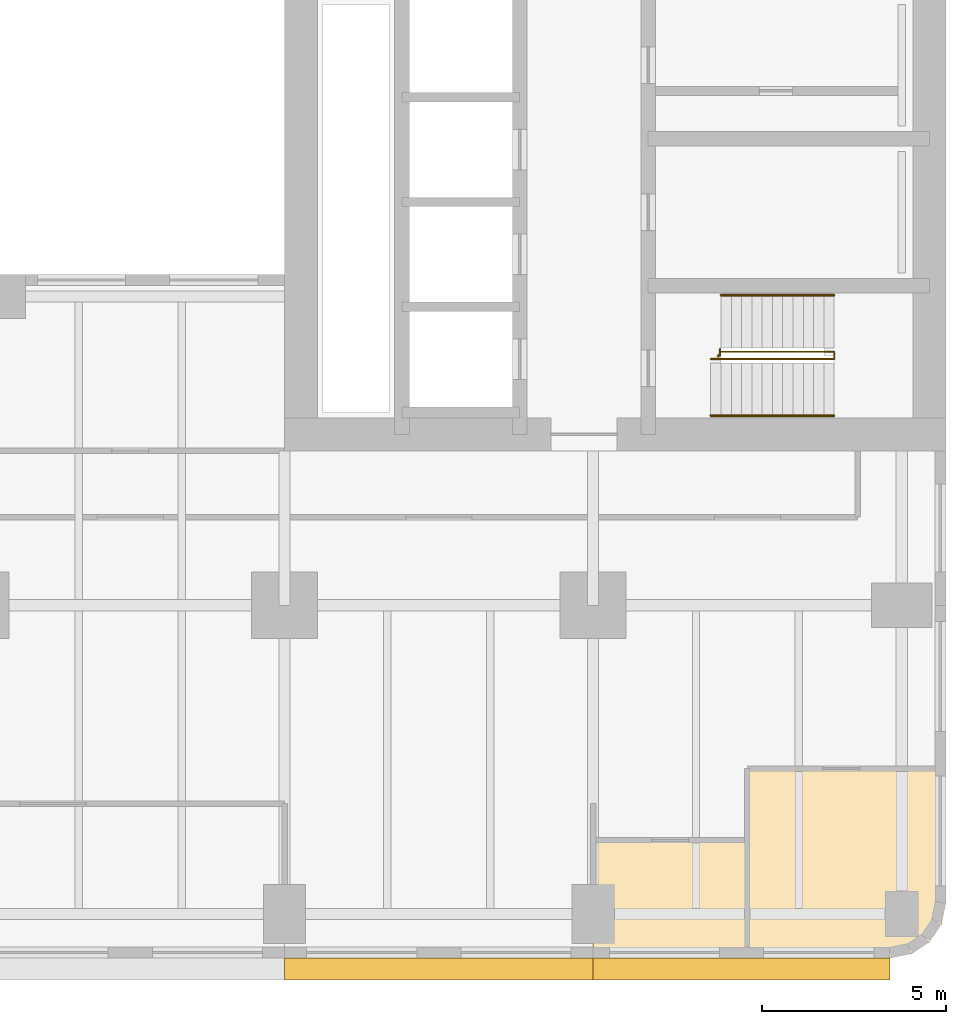
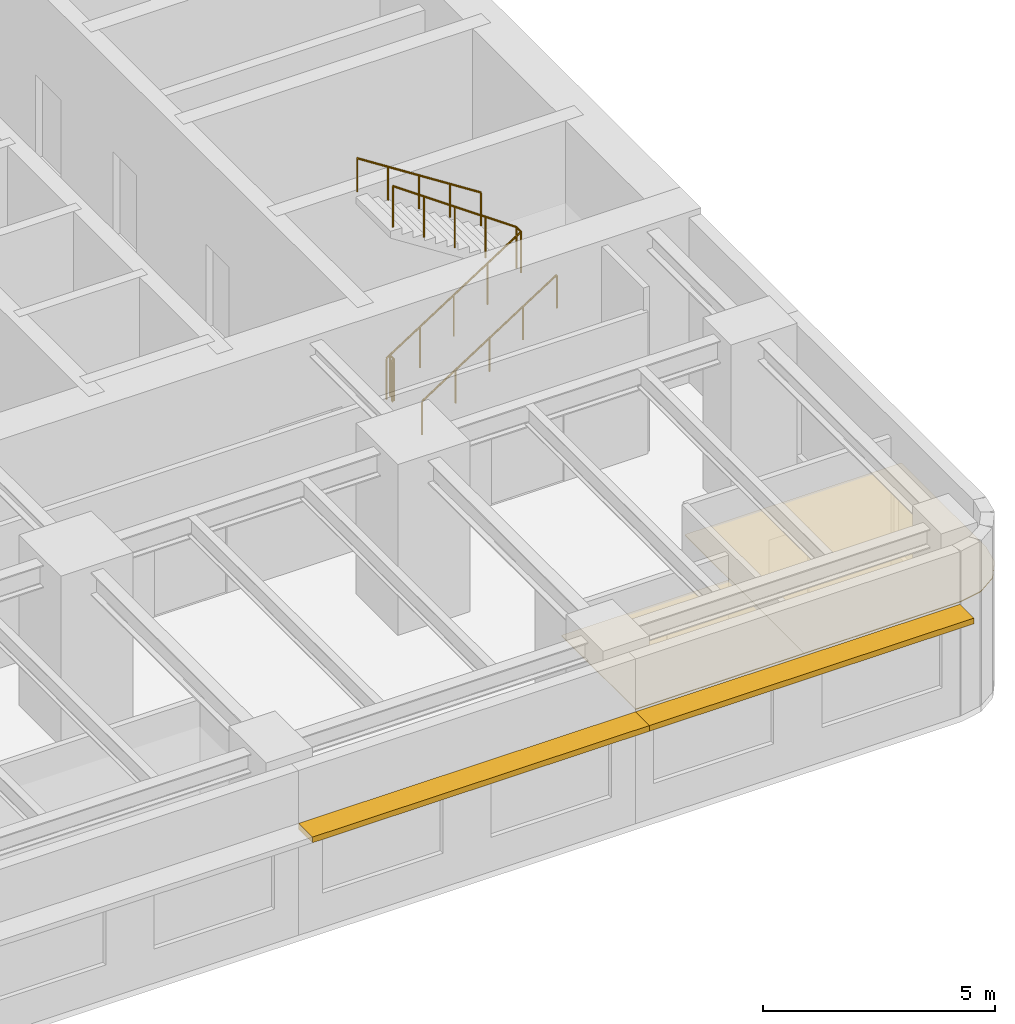
# One storey, part 10 of 12: 4 railings, 2 coverings, 2 shading devices.
"""IFC4 building model written with IfcOpenShell, lengths in metres."""

from ifc_helpers import new_model, si_unit, direction, frame, origin, origin_2d, place, context, subcontext, project, spatial, polyline, rectangle, circle, outline, extrude, material, layer, layer_set, type_object, element, save


model = new_model("IFC4")

# Units and contexts
model_context = context("Model", 3, precision=1e-05, world=origin(), true_north=direction((0.0, 1.0)))
body_context = subcontext(model_context, "Body", "Model", "MODEL_VIEW")
ifc_project = project(units=[si_unit("LENGTHUNIT", "METRE"), si_unit("AREAUNIT", "SQUARE_METRE"), si_unit("VOLUMEUNIT", "CUBIC_METRE"), si_unit("PLANEANGLEUNIT", "RADIAN"), si_unit("MASSUNIT", "GRAM", prefix="KILO")], contexts=[model_context])

# Site, building, storey
site_placement = place(None, origin())
site = spatial("IfcSite", under=ifc_project, at=site_placement, CompositionType="ELEMENT")
building_placement = place(site_placement, origin())
building = spatial("IfcBuilding", under=site, at=building_placement, Name="Claustro Exchange Tower", CompositionType="ELEMENT")
storey_placement = place(building_placement, frame((0.0, 0.0, 45.89990234375)))
storey = spatial("IfcBuildingStorey", under=building, at=storey_placement, Name="L10", CompositionType="ELEMENT", Elevation=45.89990234375)

# Coverings
ifc_material_1 = material(Name="Gypsum board ceiling", Category="gypsum board")
ifc_layer_1 = layer(ifc_material_1, 0.02490234375)
ifc_layer_set_1 = layer_set([ifc_layer_1], Name="Gypsum board ceiling")
covering_type = type_object("IfcCoveringType", Name="CL2 plasterboard ceiling", PredefinedType="CEILING", material=ifc_layer_set_1)
covering_1_placement = place(storey_placement, frame((0.0, 0.0, 3.0)))
element("IfcCovering", 1, at=covering_1_placement, inside=storey, type_object=covering_type, Name="Ceiling CL2 L10-01", PredefinedType="CEILING", context=body_context, shape_type="SweptSolid", body=[
    extrude(outline(polyline([(42.0, -1.199951171875), (46.199951171875, -1.199951171875), (46.199951171875, 2.0), (42.0, 2.0), (42.0, -1.199951171875)])), origin(), (0.0, 0.0, 1.0), 0.025146484375),
])
covering_2_placement = place(storey_placement, frame((0.0, 0.0, 3.0)))
element("IfcCovering", 2, at=covering_2_placement, inside=storey, type_object=covering_type, Name="Ceiling CL2 L10-06", PredefinedType="CEILING", context=body_context, shape_type="SweptSolid", body=[
    extrude(outline(polyline([(51.60009765625, 0.300048828125), (51.60009765625, 3.949951171875), (46.199951171875, 3.949951171875), (46.199951171875, -1.199951171875), (50.10009765625, -1.199951171875), (50.674072265625, -1.085693359375), (51.16064453125, -0.7607421875), (51.48583984375, -0.27392578125), (51.60009765625, 0.300048828125)])), origin(), (0.0, 0.0, 1.0), 0.025146484375),
])

# Railings
ifc_material_2 = material(Name="Steel balustrade, painted", Category="steel")
railing_type_1 = type_object("IfcRailingType", Name="GR2 1100 steel stair guard", PredefinedType="GUARDRAIL", material=ifc_material_2)
railing_1_placement = place(storey_placement, frame((45.199951171875, 15.10009765625, 0.18017578125)))
element("IfcRailing", 3, at=railing_1_placement, inside=storey, type_object=railing_type_1, Name="Stair well guard GR2 stair STEA L10", PredefinedType="GUARDRAIL", context=body_context, shape_type="SweptSolid", body=[
    extrude(circle(Radius=0.02392578125, at=origin_2d()), frame((0.0, 0.0, 1.076171875), z_axis=(0.84119634759, 0.0, 0.540729789082), x_axis=(0.0, 1.0, 0.0)), (0.0, 0.0, 1.0), 3.994384765625),
    extrude(circle(Radius=0.02392578125, at=origin_2d()), frame((3.360107421875, 0.0, 3.23583984375), z_axis=(0.0, 1.0, 0.0), x_axis=(-1.0, 0.0, 0.0)), (0.0, 0.0, 1.0), 0.199951171875),
    extrude(circle(Radius=0.02392578125, at=origin_2d()), frame((3.360107421875, 0.199951171875, 3.23583984375), z_axis=(-0.8187499073, 0.0, 0.574150319426), x_axis=(0.0, -1.0, 0.0)), (0.0, 0.0, 1.0), 3.761962890625),
    extrude(circle(Radius=0.02099609375, at=origin_2d()), origin(), (0.0, 0.0, 1.0), 1.052001953125),
    extrude(circle(Radius=0.02099609375, at=origin_2d()), frame((0.840087890625, 0.0, 0.5400390625)), (0.0, 0.0, 1.0), 1.052001953125),
    extrude(circle(Radius=0.02099609375, at=origin_2d()), frame((1.68017578125, 0.0, 1.080078125)), (0.0, 0.0, 1.0), 1.052001953125),
    extrude(circle(Radius=0.02099609375, at=origin_2d()), frame((2.52001953125, 0.0, 1.619873046875)), (0.0, 0.0, 1.0), 1.052001953125),
    extrude(circle(Radius=0.02099609375, at=origin_2d()), frame((3.360107421875, 0.0, 2.159912109375)), (0.0, 0.0, 1.0), 1.052001953125),
    extrude(circle(Radius=0.02099609375, at=origin_2d()), frame((3.360107421875, 0.199951171875, 2.159912109375)), (0.0, 0.0, 1.0), 1.052001953125),
    extrude(circle(Radius=0.02099609375, at=origin_2d()), frame((2.590087890625, 0.199951171875, 2.699951171875)), (0.0, 0.0, 1.0), 1.052001953125),
    extrude(circle(Radius=0.02099609375, at=origin_2d()), frame((1.820068359375, 0.199951171875, 3.23974609375)), (0.0, 0.0, 1.0), 1.052001953125),
    extrude(circle(Radius=0.02099609375, at=origin_2d()), frame((1.050048828125, 0.199951171875, 3.77978515625)), (0.0, 0.0, 1.0), 1.052001953125),
    extrude(circle(Radius=0.02099609375, at=origin_2d()), frame((0.280029296875, 0.199951171875, 4.31982421875)), (0.0, 0.0, 1.0), 1.052001953125),
])
railing_2_placement = place(storey_placement, frame((45.39990234375, 15.169921875, 0.0)))
element("IfcRailing", 4, at=railing_2_placement, inside=storey, type_object=railing_type_1, Name="Stair guard GR2 STEA L10", PredefinedType="GUARDRAIL", context=body_context, shape_type="SweptSolid", body=[
    extrude(circle(Radius=0.02392578125, at=origin_2d()), frame((0.0, 0.0, 1.076171875), z_axis=(0.0, 1.0, 0.0), x_axis=(-1.0, 0.0, 0.0)), (0.0, 0.0, 1.0), 0.030029296875),
    extrude(circle(Radius=0.02392578125, at=origin_2d()), frame((0.0, 0.030029296875, 1.076171875), z_axis=(1.0, 0.0, 0.0), x_axis=(0.0, 1.0, 0.0)), (0.0, 0.0, 1.0), 0.05517578125),
    extrude(circle(Radius=0.02392578125, at=origin_2d()), frame((0.05517578125, 0.030029296875, 1.076171875), z_axis=(0.0, 1.0, 0.0), x_axis=(-1.0, 0.0, 0.0)), (0.0, 0.0, 1.0), 0.179931640625),
    extrude(circle(Radius=0.02099609375, at=origin_2d()), origin(), (0.0, 0.0, 1.0), 1.052001953125),
    extrude(circle(Radius=0.02099609375, at=origin_2d()), frame((0.0, 0.030029296875, 0.0)), (0.0, 0.0, 1.0), 1.052001953125),
    extrude(circle(Radius=0.02099609375, at=origin_2d()), frame((0.05517578125, 0.030029296875, 0.0)), (0.0, 0.0, 1.0), 1.052001953125),
    extrude(circle(Radius=0.02099609375, at=origin_2d()), frame((0.05517578125, 0.2099609375, 0.0)), (0.0, 0.0, 1.0), 1.052001953125),
])
ifc_material_3 = material(Name="Stainless steel tube", Category="steel")
railing_type_2 = type_object("IfcRailingType", Name="HR1 900 stair handrail", PredefinedType="HANDRAIL", material=ifc_material_3)
railing_3_placement = place(storey_placement, frame((45.199951171875, 13.56005859375, 0.18017578125)))
element("IfcRailing", 5, at=railing_3_placement, inside=storey, type_object=railing_type_2, Name="Handrail HR1 stair STEA L10", PredefinedType="HANDRAIL", context=body_context, shape_type="SweptSolid", body=[
    extrude(circle(Radius=0.02392578125, at=origin_2d()), frame((0.0, 0.0, 0.8759765625), z_axis=(0.84119634759, 0.0, 0.540729789082), x_axis=(0.0, 1.0, 0.0)), (0.0, 0.0, 1.0), 3.994384765625),
    extrude(circle(Radius=0.02099609375, at=origin_2d()), origin(), (0.0, 0.0, 1.0), 0.851806640625),
    extrude(circle(Radius=0.02099609375, at=origin_2d()), frame((0.840087890625, 0.0, 0.5400390625)), (0.0, 0.0, 1.0), 0.851806640625),
    extrude(circle(Radius=0.02099609375, at=origin_2d()), frame((1.68017578125, 0.0, 1.080078125)), (0.0, 0.0, 1.0), 0.851806640625),
    extrude(circle(Radius=0.02099609375, at=origin_2d()), frame((2.52001953125, 0.0, 1.619873046875)), (0.0, 0.0, 1.0), 0.851806640625),
    extrude(circle(Radius=0.02099609375, at=origin_2d()), frame((3.360107421875, 0.0, 2.159912109375)), (0.0, 0.0, 1.0), 0.851806640625),
])
railing_4_placement = place(storey_placement, frame((48.56005859375, 16.840087890625, 2.52001953125)))
element("IfcRailing", 6, at=railing_4_placement, inside=storey, type_object=railing_type_2, Name="Handrail HR1 stair STEA L10", PredefinedType="HANDRAIL", context=body_context, shape_type="SweptSolid", body=[
    extrude(circle(Radius=0.02392578125, at=origin_2d()), frame((0.0, 0.0, 0.8759765625), z_axis=(-0.84118714077, 0.0, 0.540744111576), x_axis=(0.0, -1.0, 0.0)), (0.0, 0.0, 1.0), 3.66162109375),
    extrude(circle(Radius=0.02099609375, at=origin_2d()), origin(), (0.0, 0.0, 1.0), 0.851806640625),
    extrude(circle(Radius=0.02099609375, at=origin_2d()), frame((-0.77001953125, 0.0, 0.4951171875)), (0.0, 0.0, 1.0), 0.851806640625),
    extrude(circle(Radius=0.02099609375, at=origin_2d()), frame((-1.5400390625, 0.0, 0.989990234375)), (0.0, 0.0, 1.0), 0.851806640625),
    extrude(circle(Radius=0.02099609375, at=origin_2d()), frame((-2.31005859375, 0.0, 1.48486328125)), (0.0, 0.0, 1.0), 0.851806640625),
    extrude(circle(Radius=0.02099609375, at=origin_2d()), frame((-3.080078125, 0.0, 1.97998046875)), (0.0, 0.0, 1.0), 0.851806640625),
])

# Shading devices
ifc_material_4 = material(Name="Concrete HA-40 (C40/50), precast, white cement, acid-etched", Category="concrete")
ifc_layer_2 = layer(ifc_material_4, 0.14990234375)
ifc_layer_set_2 = layer_set([ifc_layer_2], Name="Concrete HA-40 (C40/50), precast, white cement, acid-etched")
shading_device_type = type_object("IfcShadingDeviceType", Name="SS1 600 precast concrete SUNSHADE", PredefinedType="SHUTTER", material=ifc_layer_set_2)
shading_device_1_placement = place(storey_placement, frame((46.04248046875, -1.5, 2.800048828125), z_axis=(0.0, 0.0, 1.0), x_axis=(-1.0, 0.0, 0.0)))
element("IfcShadingDevice", 7, at=shading_device_1_placement, inside=storey, type_object=shading_device_type, Name="Precast SUNSHADE SS1 L10", PredefinedType="SHUTTER", context=body_context, shape_type="SweptSolid", body=[
    extrude(rectangle(XDim=8.085205078125, YDim=0.60009765625, at=origin_2d()), origin(), (0.0, 0.0, 1.0), 0.14990234375),
])
shading_device_2_placement = place(storey_placement, frame((37.800048828125, -1.5, 2.800048828125), z_axis=(0.0, 0.0, 1.0), x_axis=(-1.0, 0.0, 0.0)))
element("IfcShadingDevice", 8, at=shading_device_2_placement, inside=storey, type_object=shading_device_type, Name="Precast SUNSHADE SS1 L10", PredefinedType="SHUTTER", context=body_context, shape_type="SweptSolid", body=[
    extrude(rectangle(XDim=8.39990234375, YDim=0.60009765625, at=origin_2d()), origin(), (0.0, 0.0, 1.0), 0.14990234375),
])

save(model, "model.ifc")
